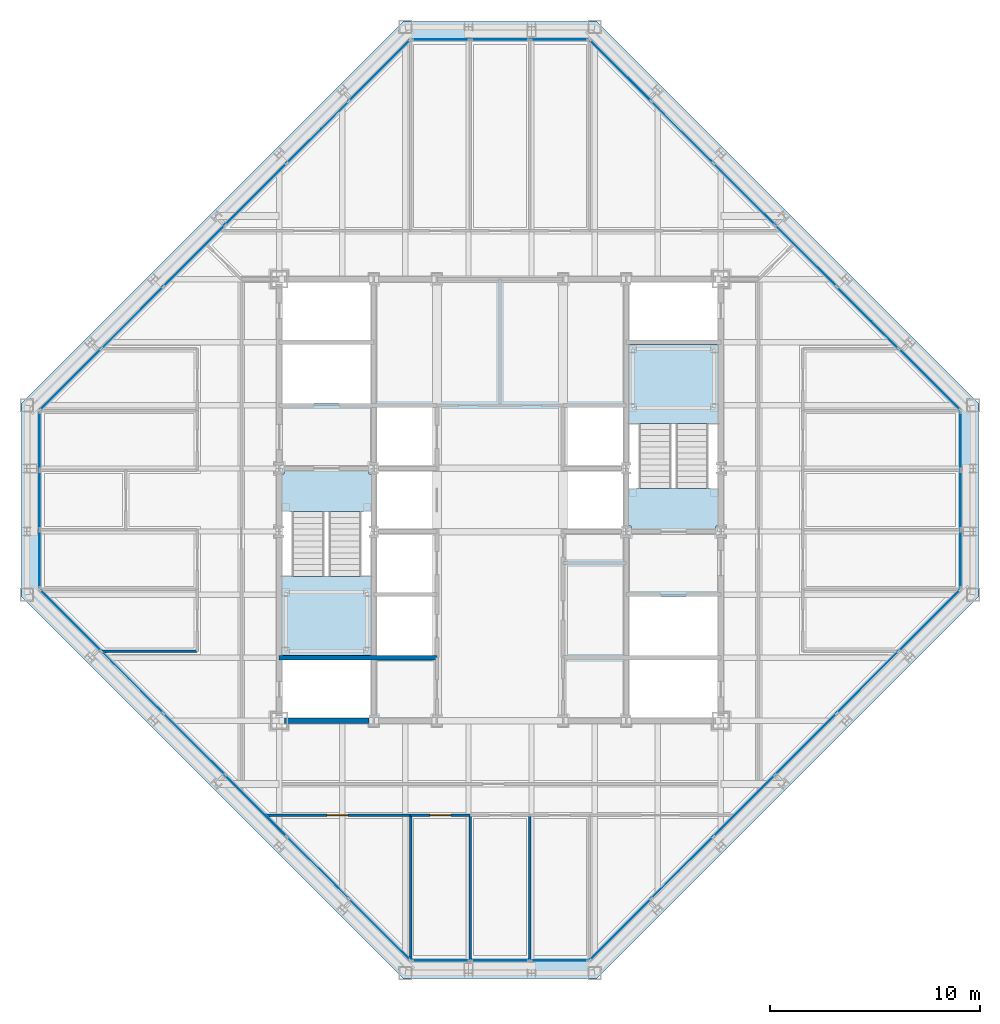
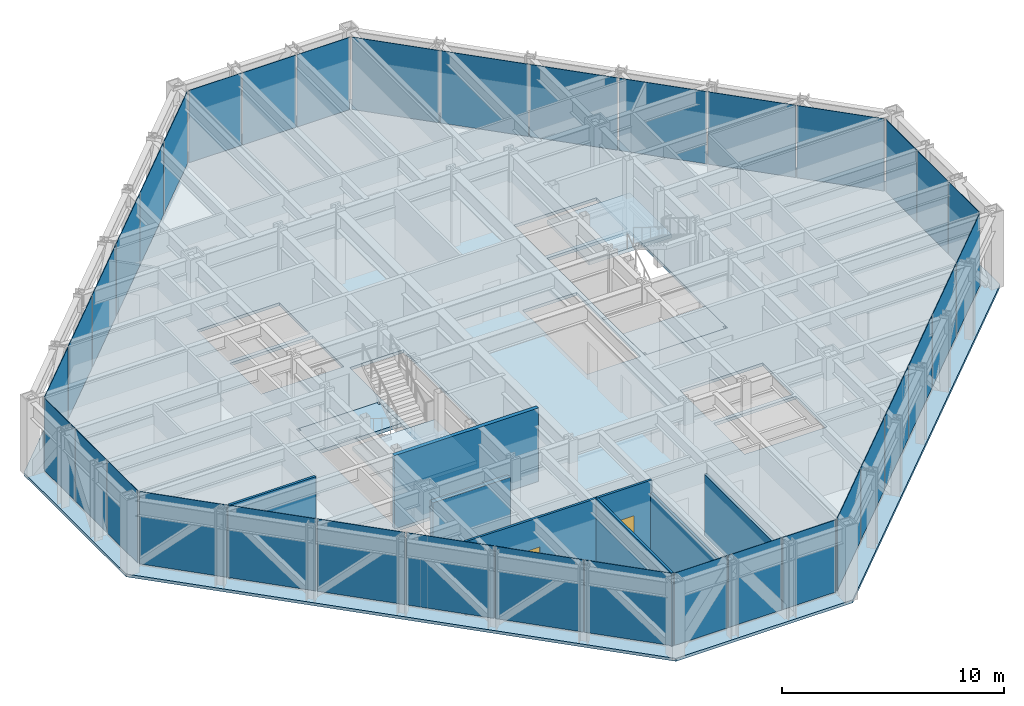
# One storey, part 9 of 15: 36 plates, 8 walls, 5 slabs, 2 doors, 2 openings, 10 elements without a shape of their own.
"""IFC4 building model written with IfcOpenShell, lengths in metres."""

from ifc_helpers import new_model, si_unit, direction, frame, frame_2d, origin, origin_2d, place, context, subcontext, project, spatial, polyline, rectangle, outline, extrude, material, layer, layer_set, type_object, element, fill, aggregate, save


model = new_model("IFC4")

# Units and contexts
model_context = context("Model", 3, precision=1e-05, world=origin(), true_north=direction((0.0, 1.0)))
body_context = subcontext(model_context, "Body", "Model", "MODEL_VIEW")
ifc_project = project(units=[si_unit("LENGTHUNIT", "METRE"), si_unit("AREAUNIT", "SQUARE_METRE"), si_unit("VOLUMEUNIT", "CUBIC_METRE"), si_unit("PLANEANGLEUNIT", "RADIAN"), si_unit("MASSUNIT", "GRAM", prefix="KILO")], contexts=[model_context])

# Site, building, storey
site_placement = place(None, origin())
site = spatial("IfcSite", under=ifc_project, at=site_placement, CompositionType="ELEMENT")
building_placement = place(site_placement, origin())
building = spatial("IfcBuilding", under=site, at=building_placement, Name="Chuquiago Exchange Tower", CompositionType="ELEMENT")
storey_placement = place(building_placement, frame((0.0, 0.0, 262.199951171875)))
storey = spatial("IfcBuildingStorey", under=building, at=storey_placement, Name="L58", CompositionType="ELEMENT", Elevation=262.199951171875)

# Curtain wall, plate
ifc_material_1 = material(Name="Aluminium curtain wall system", Category="aluminium")
ifc_layer_1 = layer(ifc_material_1, 0.22509765625)
ifc_layer_set_1 = layer_set([ifc_layer_1], Name="CW2 office curtain wall")
curtain_wall_type_1 = type_object("IfcCurtainWallType", Name="CW2 office curtain wall", PredefinedType="NOTDEFINED", material=ifc_layer_set_1)
curtain_wall_1_placement = place(storey_placement, origin())
curtain_wall_1 = element("IfcCurtainWall", 1, at=curtain_wall_1_placement, inside=storey, type_object=curtain_wall_type_1, Name="CW2 curtain wall L58", PredefinedType="NOTDEFINED")
ifc_material_2 = material(Name="Glass, insulating unit", Category="glass")
ifc_layer_2 = layer(ifc_material_2, 0.030029296875)
ifc_layer_set_2 = layer_set([ifc_layer_2], Name="CW2-P panel 30")
plate_type_1 = type_object("IfcPlateType", Name="CW2-P panel 30", PredefinedType="CURTAIN_PANEL", material=ifc_layer_set_2)
plate_1_placement = place(storey_placement, frame((25.318115234375, 0.60009765625, 0.06494140625), z_axis=(0.0, 0.0, 1.0), x_axis=(1.0, 0.0, 0.0)))
plate_1 = element("IfcPlate", 2, at=plate_1_placement, type_object=plate_type_1, Name="CW2 panel 3.1", PredefinedType="CURTAIN_PANEL", context=body_context, shape_type="SweptSolid", body=[
    extrude(rectangle(XDim=2.73681640625, YDim=0.030029296875, at=origin_2d()), origin(), (0.0, 0.0, 1.0), 3.97509765625),
])

curtain_wall_2_placement = place(storey_placement, origin())
curtain_wall_2 = element("IfcCurtainWall", 3, at=curtain_wall_2_placement, inside=storey, type_object=curtain_wall_type_1, Name="CW2 curtain wall L58", PredefinedType="NOTDEFINED")
plate_2_placement = place(storey_placement, frame((44.39990234375, 25.318115234375, 0.06494140625), z_axis=(0.0, 0.0, 1.0), x_axis=(0.0, 1.0, 0.0)))
plate_2 = element("IfcPlate", 4, at=plate_2_placement, type_object=plate_type_1, Name="CW2 panel 3.1", PredefinedType="CURTAIN_PANEL", context=body_context, shape_type="SweptSolid", body=[
    extrude(rectangle(XDim=2.73681640625, YDim=0.030029296875, at=origin_2d()), origin(), (0.0, 0.0, 1.0), 3.97509765625),
])

curtain_wall_3_placement = place(storey_placement, origin())
curtain_wall_3 = element("IfcCurtainWall", 5, at=curtain_wall_3_placement, inside=storey, type_object=curtain_wall_type_1, Name="CW2 curtain wall L58", PredefinedType="NOTDEFINED")
plate_3_placement = place(storey_placement, frame((19.681884765625, 44.39990234375, 0.06494140625), z_axis=(0.0, 0.0, 1.0), x_axis=(-1.0, 0.0, 0.0)))
plate_3 = element("IfcPlate", 6, at=plate_3_placement, type_object=plate_type_1, Name="CW2 panel 3.1", PredefinedType="CURTAIN_PANEL", context=body_context, shape_type="SweptSolid", body=[
    extrude(rectangle(XDim=2.73681640625, YDim=0.030029296875, at=origin_2d()), origin(), (0.0, 0.0, 1.0), 3.97509765625),
])

curtain_wall_4_placement = place(storey_placement, origin())
curtain_wall_4 = element("IfcCurtainWall", 7, at=curtain_wall_4_placement, inside=storey, type_object=curtain_wall_type_1, Name="CW2 curtain wall L58", PredefinedType="NOTDEFINED")
plate_4_placement = place(storey_placement, frame((0.60009765625, 19.681884765625, 0.06494140625), z_axis=(0.0, 0.0, 1.0), x_axis=(0.0, -1.0, 0.0)))
plate_4 = element("IfcPlate", 8, at=plate_4_placement, type_object=plate_type_1, Name="CW2 panel 3.1", PredefinedType="CURTAIN_PANEL", context=body_context, shape_type="SweptSolid", body=[
    extrude(rectangle(XDim=2.73681640625, YDim=0.030029296875, at=origin_2d()), origin(), (0.0, 0.0, 1.0), 3.97509765625),
])

# Plate
ifc_material_3 = material(Name="Insulated spandrel panel, pale anodised aluminium", Category="aluminium")
ifc_layer_3 = layer(ifc_material_3, 0.030029296875)
ifc_layer_set_3 = layer_set([ifc_layer_3], Name="CW2-P spandrel panel 30")
plate_type_2 = type_object("IfcPlateType", Name="CW2-P spandrel panel 30", PredefinedType="CURTAIN_PANEL", material=ifc_layer_set_3)
plate_5_placement = place(storey_placement, frame((19.681884765625, 0.60009765625, 0.06494140625), z_axis=(0.0, 0.0, 1.0), x_axis=(1.0, 0.0, 0.0)))
plate_5 = element("IfcPlate", 9, at=plate_5_placement, type_object=plate_type_2, Name="CW2 panel 1.1", PredefinedType="CURTAIN_PANEL", context=body_context, shape_type="SweptSolid", body=[
    extrude(rectangle(XDim=2.73681640625, YDim=0.030029296875, at=origin_2d()), origin(), (0.0, 0.0, 1.0), 3.97509765625),
])

plate_6_placement = place(storey_placement, frame((22.5, 0.60009765625, 0.06494140625), z_axis=(0.0, 0.0, 1.0), x_axis=(1.0, 0.0, 0.0)))
plate_6 = element("IfcPlate", 10, at=plate_6_placement, type_object=plate_type_2, Name="CW2 panel 2.1", PredefinedType="CURTAIN_PANEL", context=body_context, shape_type="SweptSolid", body=[
    extrude(rectangle(XDim=2.769287109375, YDim=0.030029296875, at=origin_2d()), origin(), (0.0, 0.0, 1.0), 3.97509765625),
])

aggregate(curtain_wall_1, [plate_5, plate_6, plate_1])

plate_7_placement = place(storey_placement, frame((44.39990234375, 19.681884765625, 0.06494140625), z_axis=(0.0, 0.0, 1.0), x_axis=(0.0, 1.0, 0.0)))
plate_7 = element("IfcPlate", 11, at=plate_7_placement, type_object=plate_type_2, Name="CW2 panel 1.1", PredefinedType="CURTAIN_PANEL", context=body_context, shape_type="SweptSolid", body=[
    extrude(rectangle(XDim=2.73681640625, YDim=0.030029296875, at=origin_2d()), origin(), (0.0, 0.0, 1.0), 3.97509765625),
])

plate_8_placement = place(storey_placement, frame((44.39990234375, 22.5, 0.06494140625), z_axis=(0.0, 0.0, 1.0), x_axis=(0.0, 1.0, 0.0)))
plate_8 = element("IfcPlate", 12, at=plate_8_placement, type_object=plate_type_2, Name="CW2 panel 2.1", PredefinedType="CURTAIN_PANEL", context=body_context, shape_type="SweptSolid", body=[
    extrude(rectangle(XDim=2.769287109375, YDim=0.030029296875, at=origin_2d()), origin(), (0.0, 0.0, 1.0), 3.97509765625),
])

aggregate(curtain_wall_2, [plate_7, plate_8, plate_2])

plate_9_placement = place(storey_placement, frame((25.318115234375, 44.39990234375, 0.06494140625), z_axis=(0.0, 0.0, 1.0), x_axis=(-1.0, 0.0, 0.0)))
plate_9 = element("IfcPlate", 13, at=plate_9_placement, type_object=plate_type_2, Name="CW2 panel 1.1", PredefinedType="CURTAIN_PANEL", context=body_context, shape_type="SweptSolid", body=[
    extrude(rectangle(XDim=2.73681640625, YDim=0.030029296875, at=origin_2d()), origin(), (0.0, 0.0, 1.0), 3.97509765625),
])

plate_10_placement = place(storey_placement, frame((22.5, 44.39990234375, 0.06494140625), z_axis=(0.0, 0.0, 1.0), x_axis=(-1.0, 0.0, 0.0)))
plate_10 = element("IfcPlate", 14, at=plate_10_placement, type_object=plate_type_2, Name="CW2 panel 2.1", PredefinedType="CURTAIN_PANEL", context=body_context, shape_type="SweptSolid", body=[
    extrude(rectangle(XDim=2.769287109375, YDim=0.030029296875, at=origin_2d()), origin(), (0.0, 0.0, 1.0), 3.97509765625),
])

aggregate(curtain_wall_3, [plate_9, plate_10, plate_3])

plate_11_placement = place(storey_placement, frame((0.60009765625, 25.318115234375, 0.06494140625), z_axis=(0.0, 0.0, 1.0), x_axis=(0.0, -1.0, 0.0)))
plate_11 = element("IfcPlate", 15, at=plate_11_placement, type_object=plate_type_2, Name="CW2 panel 1.1", PredefinedType="CURTAIN_PANEL", context=body_context, shape_type="SweptSolid", body=[
    extrude(rectangle(XDim=2.73681640625, YDim=0.030029296875, at=origin_2d()), origin(), (0.0, 0.0, 1.0), 3.97509765625),
])

plate_12_placement = place(storey_placement, frame((0.60009765625, 22.5, 0.06494140625), z_axis=(0.0, 0.0, 1.0), x_axis=(0.0, -1.0, 0.0)))
plate_12 = element("IfcPlate", 16, at=plate_12_placement, type_object=plate_type_2, Name="CW2 panel 2.1", PredefinedType="CURTAIN_PANEL", context=body_context, shape_type="SweptSolid", body=[
    extrude(rectangle(XDim=2.769287109375, YDim=0.030029296875, at=origin_2d()), origin(), (0.0, 0.0, 1.0), 3.97509765625),
])

aggregate(curtain_wall_4, [plate_11, plate_12, plate_4])

# Curtain wall, plates
ifc_material_4 = material(Name="Aluminium curtain wall system", Category="aluminium")
ifc_layer_4 = layer(ifc_material_4, 0.199951171875)
ifc_layer_set_4 = layer_set([ifc_layer_4], Name="CW3 facet curtain wall")
curtain_wall_type_2 = type_object("IfcCurtainWallType", Name="CW3 facet curtain wall", PredefinedType="NOTDEFINED", material=ifc_layer_set_4)
curtain_wall_5_placement = place(storey_placement, origin())
curtain_wall_5 = element("IfcCurtainWall", 17, at=curtain_wall_5_placement, inside=storey, type_object=curtain_wall_type_2, Name="CW3 curtain wall L58", PredefinedType="NOTDEFINED")
ifc_material_5 = material(Name="Insulated spandrel panel, pale anodised aluminium", Category="aluminium")
ifc_layer_5 = layer(ifc_material_5, 0.030029296875)
ifc_layer_set_5 = layer_set([ifc_layer_5], Name="CW3-P spandrel panel 30")
plate_type_3 = type_object("IfcPlateType", Name="CW3-P spandrel panel 30", PredefinedType="CURTAIN_PANEL", material=ifc_layer_set_5)
plate_13_placement = place(storey_placement, frame((28.233642578125, 2.082275390625, 0.06494140625), z_axis=(0.0, 0.0, 1.0), x_axis=(0.707106781187, 0.707106781187, 0.0)))
plate_13 = element("IfcPlate", 18, at=plate_13_placement, type_object=plate_type_3, Name="CW3 panel 1.1", PredefinedType="CURTAIN_PANEL", context=body_context, shape_type="SweptSolid", body=[
    extrude(rectangle(XDim=4.062255859375, YDim=0.030029296875, at=origin_2d()), origin(), (0.0, 0.0, 1.0), 3.97509765625),
])
plate_14_placement = place(storey_placement, frame((31.16357421875, 5.01220703125, 0.06494140625), z_axis=(0.0, 0.0, 1.0), x_axis=(0.707106781187, 0.707106781187, 0.0)))
plate_14 = element("IfcPlate", 19, at=plate_14_placement, type_object=plate_type_3, Name="CW3 panel 2.1", PredefinedType="CURTAIN_PANEL", context=body_context, shape_type="SweptSolid", body=[
    extrude(rectangle(XDim=4.0947265625, YDim=0.030029296875, at=origin_2d()), origin(), (0.0, 0.0, 1.0), 3.97509765625),
])
plate_15_placement = place(storey_placement, frame((34.10498046875, 7.95361328125, 0.06494140625), z_axis=(0.0, 0.0, 1.0), x_axis=(0.707106781187, 0.707106781187, 0.0)))
plate_15 = element("IfcPlate", 20, at=plate_15_placement, type_object=plate_type_3, Name="CW3 panel 3.1", PredefinedType="CURTAIN_PANEL", context=body_context, shape_type="SweptSolid", body=[
    extrude(rectangle(XDim=4.0947265625, YDim=0.030029296875, at=origin_2d()), origin(), (0.0, 0.0, 1.0), 3.97509765625),
])
plate_16_placement = place(storey_placement, frame((37.04638671875, 10.89501953125, 0.06494140625), z_axis=(0.0, 0.0, 1.0), x_axis=(0.707106781187, 0.707106781187, 0.0)))
plate_16 = element("IfcPlate", 21, at=plate_16_placement, type_object=plate_type_3, Name="CW3 panel 4.1", PredefinedType="CURTAIN_PANEL", context=body_context, shape_type="SweptSolid", body=[
    extrude(rectangle(XDim=4.0947265625, YDim=0.030029296875, at=origin_2d()), origin(), (0.0, 0.0, 1.0), 3.97509765625),
])
plate_17_placement = place(storey_placement, frame((39.98779296875, 13.83642578125, 0.06494140625), z_axis=(0.0, 0.0, 1.0), x_axis=(0.707106781187, 0.707106781187, 0.0)))
plate_17 = element("IfcPlate", 22, at=plate_17_placement, type_object=plate_type_3, Name="CW3 panel 5.1", PredefinedType="CURTAIN_PANEL", context=body_context, shape_type="SweptSolid", body=[
    extrude(rectangle(XDim=4.0947265625, YDim=0.030029296875, at=origin_2d()), origin(), (0.0, 0.0, 1.0), 3.97509765625),
])
plate_18_placement = place(storey_placement, frame((42.917724609375, 16.766357421875, 0.06494140625), z_axis=(0.0, 0.0, 1.0), x_axis=(0.707106781187, 0.707106781187, 0.0)))
plate_18 = element("IfcPlate", 23, at=plate_18_placement, type_object=plate_type_3, Name="CW3 panel 6.1", PredefinedType="CURTAIN_PANEL", context=body_context, shape_type="SweptSolid", body=[
    extrude(rectangle(XDim=4.062255859375, YDim=0.030029296875, at=origin_2d()), origin(), (0.0, 0.0, 1.0), 3.97509765625),
])
aggregate(curtain_wall_5, [plate_13, plate_14, plate_15, plate_16, plate_17, plate_18])

curtain_wall_6_placement = place(storey_placement, origin())
curtain_wall_6 = element("IfcCurtainWall", 24, at=curtain_wall_6_placement, inside=storey, type_object=curtain_wall_type_2, Name="CW3 curtain wall L58", PredefinedType="NOTDEFINED")
plate_19_placement = place(storey_placement, frame((42.917724609375, 28.233642578125, 0.06494140625), z_axis=(0.0, 0.0, 1.0), x_axis=(-0.707106781187, 0.707106781187, 0.0)))
plate_19 = element("IfcPlate", 25, at=plate_19_placement, type_object=plate_type_3, Name="CW3 panel 1.1", PredefinedType="CURTAIN_PANEL", context=body_context, shape_type="SweptSolid", body=[
    extrude(rectangle(XDim=4.062255859375, YDim=0.030029296875, at=origin_2d()), origin(), (0.0, 0.0, 1.0), 3.97509765625),
])
plate_20_placement = place(storey_placement, frame((39.98779296875, 31.16357421875, 0.06494140625), z_axis=(0.0, 0.0, 1.0), x_axis=(-0.707106781187, 0.707106781187, 0.0)))
plate_20 = element("IfcPlate", 26, at=plate_20_placement, type_object=plate_type_3, Name="CW3 panel 2.1", PredefinedType="CURTAIN_PANEL", context=body_context, shape_type="SweptSolid", body=[
    extrude(rectangle(XDim=4.0947265625, YDim=0.030029296875, at=origin_2d()), origin(), (0.0, 0.0, 1.0), 3.97509765625),
])
plate_21_placement = place(storey_placement, frame((37.04638671875, 34.10498046875, 0.06494140625), z_axis=(0.0, 0.0, 1.0), x_axis=(-0.707106781187, 0.707106781187, 0.0)))
plate_21 = element("IfcPlate", 27, at=plate_21_placement, type_object=plate_type_3, Name="CW3 panel 3.1", PredefinedType="CURTAIN_PANEL", context=body_context, shape_type="SweptSolid", body=[
    extrude(rectangle(XDim=4.0947265625, YDim=0.030029296875, at=origin_2d()), origin(), (0.0, 0.0, 1.0), 3.97509765625),
])
plate_22_placement = place(storey_placement, frame((34.10498046875, 37.04638671875, 0.06494140625), z_axis=(0.0, 0.0, 1.0), x_axis=(-0.707106781187, 0.707106781187, 0.0)))
plate_22 = element("IfcPlate", 28, at=plate_22_placement, type_object=plate_type_3, Name="CW3 panel 4.1", PredefinedType="CURTAIN_PANEL", context=body_context, shape_type="SweptSolid", body=[
    extrude(rectangle(XDim=4.0947265625, YDim=0.030029296875, at=origin_2d()), origin(), (0.0, 0.0, 1.0), 3.97509765625),
])
plate_23_placement = place(storey_placement, frame((31.16357421875, 39.98779296875, 0.06494140625), z_axis=(0.0, 0.0, 1.0), x_axis=(-0.707106781187, 0.707106781187, 0.0)))
plate_23 = element("IfcPlate", 29, at=plate_23_placement, type_object=plate_type_3, Name="CW3 panel 5.1", PredefinedType="CURTAIN_PANEL", context=body_context, shape_type="SweptSolid", body=[
    extrude(rectangle(XDim=4.0947265625, YDim=0.030029296875, at=origin_2d()), origin(), (0.0, 0.0, 1.0), 3.97509765625),
])
plate_24_placement = place(storey_placement, frame((28.233642578125, 42.917724609375, 0.06494140625), z_axis=(0.0, 0.0, 1.0), x_axis=(-0.707106781187, 0.707106781187, 0.0)))
plate_24 = element("IfcPlate", 30, at=plate_24_placement, type_object=plate_type_3, Name="CW3 panel 6.1", PredefinedType="CURTAIN_PANEL", context=body_context, shape_type="SweptSolid", body=[
    extrude(rectangle(XDim=4.062255859375, YDim=0.030029296875, at=origin_2d()), origin(), (0.0, 0.0, 1.0), 3.97509765625),
])
aggregate(curtain_wall_6, [plate_19, plate_20, plate_21, plate_22, plate_23, plate_24])

curtain_wall_7_placement = place(storey_placement, origin())
curtain_wall_7 = element("IfcCurtainWall", 31, at=curtain_wall_7_placement, inside=storey, type_object=curtain_wall_type_2, Name="CW3 curtain wall L58", PredefinedType="NOTDEFINED")
plate_25_placement = place(storey_placement, frame((16.766357421875, 42.917724609375, 0.06494140625), z_axis=(0.0, 0.0, 1.0), x_axis=(-0.707106781187, -0.707106781187, 0.0)))
plate_25 = element("IfcPlate", 32, at=plate_25_placement, type_object=plate_type_3, Name="CW3 panel 1.1", PredefinedType="CURTAIN_PANEL", context=body_context, shape_type="SweptSolid", body=[
    extrude(rectangle(XDim=4.062255859375, YDim=0.030029296875, at=origin_2d()), origin(), (0.0, 0.0, 1.0), 3.97509765625),
])
plate_26_placement = place(storey_placement, frame((13.83642578125, 39.98779296875, 0.06494140625), z_axis=(0.0, 0.0, 1.0), x_axis=(-0.707106781187, -0.707106781187, 0.0)))
plate_26 = element("IfcPlate", 33, at=plate_26_placement, type_object=plate_type_3, Name="CW3 panel 2.1", PredefinedType="CURTAIN_PANEL", context=body_context, shape_type="SweptSolid", body=[
    extrude(rectangle(XDim=4.0947265625, YDim=0.030029296875, at=origin_2d()), origin(), (0.0, 0.0, 1.0), 3.97509765625),
])
plate_27_placement = place(storey_placement, frame((10.89501953125, 37.04638671875, 0.06494140625), z_axis=(0.0, 0.0, 1.0), x_axis=(-0.707106781187, -0.707106781187, 0.0)))
plate_27 = element("IfcPlate", 34, at=plate_27_placement, type_object=plate_type_3, Name="CW3 panel 3.1", PredefinedType="CURTAIN_PANEL", context=body_context, shape_type="SweptSolid", body=[
    extrude(rectangle(XDim=4.0947265625, YDim=0.030029296875, at=origin_2d()), origin(), (0.0, 0.0, 1.0), 3.97509765625),
])
plate_28_placement = place(storey_placement, frame((7.95361328125, 34.10498046875, 0.06494140625), z_axis=(0.0, 0.0, 1.0), x_axis=(-0.707106781187, -0.707106781187, 0.0)))
plate_28 = element("IfcPlate", 35, at=plate_28_placement, type_object=plate_type_3, Name="CW3 panel 4.1", PredefinedType="CURTAIN_PANEL", context=body_context, shape_type="SweptSolid", body=[
    extrude(rectangle(XDim=4.0947265625, YDim=0.030029296875, at=origin_2d()), origin(), (0.0, 0.0, 1.0), 3.97509765625),
])
plate_29_placement = place(storey_placement, frame((5.01220703125, 31.16357421875, 0.06494140625), z_axis=(0.0, 0.0, 1.0), x_axis=(-0.707106781187, -0.707106781187, 0.0)))
plate_29 = element("IfcPlate", 36, at=plate_29_placement, type_object=plate_type_3, Name="CW3 panel 5.1", PredefinedType="CURTAIN_PANEL", context=body_context, shape_type="SweptSolid", body=[
    extrude(rectangle(XDim=4.0947265625, YDim=0.030029296875, at=origin_2d()), origin(), (0.0, 0.0, 1.0), 3.97509765625),
])
plate_30_placement = place(storey_placement, frame((2.082275390625, 28.233642578125, 0.06494140625), z_axis=(0.0, 0.0, 1.0), x_axis=(-0.707106781187, -0.707106781187, 0.0)))
plate_30 = element("IfcPlate", 37, at=plate_30_placement, type_object=plate_type_3, Name="CW3 panel 6.1", PredefinedType="CURTAIN_PANEL", context=body_context, shape_type="SweptSolid", body=[
    extrude(rectangle(XDim=4.062255859375, YDim=0.030029296875, at=origin_2d()), origin(), (0.0, 0.0, 1.0), 3.97509765625),
])
aggregate(curtain_wall_7, [plate_25, plate_26, plate_27, plate_28, plate_29, plate_30])

curtain_wall_8_placement = place(storey_placement, origin())
curtain_wall_8 = element("IfcCurtainWall", 38, at=curtain_wall_8_placement, inside=storey, type_object=curtain_wall_type_2, Name="CW3 curtain wall L58", PredefinedType="NOTDEFINED")
plate_31_placement = place(storey_placement, frame((2.082275390625, 16.766357421875, 0.06494140625), z_axis=(0.0, 0.0, 1.0), x_axis=(0.707106781187, -0.707106781187, 0.0)))
plate_31 = element("IfcPlate", 39, at=plate_31_placement, type_object=plate_type_3, Name="CW3 panel 1.1", PredefinedType="CURTAIN_PANEL", context=body_context, shape_type="SweptSolid", body=[
    extrude(rectangle(XDim=4.062255859375, YDim=0.030029296875, at=origin_2d()), origin(), (0.0, 0.0, 1.0), 3.97509765625),
])
plate_32_placement = place(storey_placement, frame((5.01220703125, 13.83642578125, 0.06494140625), z_axis=(0.0, 0.0, 1.0), x_axis=(0.707106781187, -0.707106781187, 0.0)))
plate_32 = element("IfcPlate", 40, at=plate_32_placement, type_object=plate_type_3, Name="CW3 panel 2.1", PredefinedType="CURTAIN_PANEL", context=body_context, shape_type="SweptSolid", body=[
    extrude(rectangle(XDim=4.0947265625, YDim=0.030029296875, at=origin_2d()), origin(), (0.0, 0.0, 1.0), 3.97509765625),
])
plate_33_placement = place(storey_placement, frame((7.95361328125, 10.89501953125, 0.06494140625), z_axis=(0.0, 0.0, 1.0), x_axis=(0.707106781187, -0.707106781187, 0.0)))
plate_33 = element("IfcPlate", 41, at=plate_33_placement, type_object=plate_type_3, Name="CW3 panel 3.1", PredefinedType="CURTAIN_PANEL", context=body_context, shape_type="SweptSolid", body=[
    extrude(rectangle(XDim=4.0947265625, YDim=0.030029296875, at=origin_2d()), origin(), (0.0, 0.0, 1.0), 3.97509765625),
])
plate_34_placement = place(storey_placement, frame((10.89501953125, 7.95361328125, 0.06494140625), z_axis=(0.0, 0.0, 1.0), x_axis=(0.707106781187, -0.707106781187, 0.0)))
plate_34 = element("IfcPlate", 42, at=plate_34_placement, type_object=plate_type_3, Name="CW3 panel 4.1", PredefinedType="CURTAIN_PANEL", context=body_context, shape_type="SweptSolid", body=[
    extrude(rectangle(XDim=4.0947265625, YDim=0.030029296875, at=origin_2d()), origin(), (0.0, 0.0, 1.0), 3.97509765625),
])
plate_35_placement = place(storey_placement, frame((13.83642578125, 5.01220703125, 0.06494140625), z_axis=(0.0, 0.0, 1.0), x_axis=(0.707106781187, -0.707106781187, 0.0)))
plate_35 = element("IfcPlate", 43, at=plate_35_placement, type_object=plate_type_3, Name="CW3 panel 5.1", PredefinedType="CURTAIN_PANEL", context=body_context, shape_type="SweptSolid", body=[
    extrude(rectangle(XDim=4.0947265625, YDim=0.030029296875, at=origin_2d()), origin(), (0.0, 0.0, 1.0), 3.97509765625),
])
plate_36_placement = place(storey_placement, frame((16.766357421875, 2.082275390625, 0.06494140625), z_axis=(0.0, 0.0, 1.0), x_axis=(0.707106781187, -0.707106781187, 0.0)))
plate_36 = element("IfcPlate", 44, at=plate_36_placement, type_object=plate_type_3, Name="CW3 panel 6.1", PredefinedType="CURTAIN_PANEL", context=body_context, shape_type="SweptSolid", body=[
    extrude(rectangle(XDim=4.062255859375, YDim=0.030029296875, at=origin_2d()), origin(), (0.0, 0.0, 1.0), 3.97509765625),
])
aggregate(curtain_wall_8, [plate_31, plate_32, plate_33, plate_34, plate_35, plate_36])

# Slab
ifc_material_6 = material(Name="Concrete C30/37", Category="concrete")
ifc_layer_6 = layer(ifc_material_6, 0.159912109375)
ifc_layer_set_6 = layer_set([ifc_layer_6], Name="FS1 composite floor 160")
slab_type_1 = type_object("IfcSlabType", Name="FS1 composite floor 160", PredefinedType="FLOOR", material=ifc_layer_set_6)
slab_1_placement = place(storey_placement, frame((0.0, 0.0, -0.159912109375)))
element("IfcSlab", 45, at=slab_1_placement, inside=storey, type_object=slab_type_1, Name="L58 floor slab", PredefinedType="FLOOR", context=body_context, shape_type="SweptSolid", body=[
    extrude(outline(polyline([(17.896484375, -0.25), (-0.25, 17.896484375), (-0.25, 27.103515625), (17.896484375, 45.25), (27.103515625, 45.25), (45.25, 27.103515625), (45.25, 17.896484375), (27.103515625, -0.25), (17.896484375, -0.25)]), holes=[polyline([(16.39990234375, 15.10009765625), (12.10009765625, 15.10009765625), (12.10009765625, 23.89990234375), (16.39990234375, 23.89990234375), (16.39990234375, 15.10009765625)]), polyline([(32.89990234375, 21.10009765625), (28.60009765625, 21.10009765625), (28.60009765625, 29.89990234375), (32.89990234375, 29.89990234375), (32.89990234375, 21.10009765625)]), polyline([(16.39990234375, 12.10009765625), (12.10009765625, 12.10009765625), (12.10009765625, 14.89990234375), (16.39990234375, 14.89990234375), (16.39990234375, 12.10009765625)]), polyline([(16.39990234375, 30.10009765625), (12.10009765625, 30.10009765625), (12.10009765625, 32.89990234375), (16.39990234375, 32.89990234375), (16.39990234375, 30.10009765625)]), polyline([(32.89990234375, 12.10009765625), (28.60009765625, 12.10009765625), (28.60009765625, 14.89990234375), (32.89990234375, 14.89990234375), (32.89990234375, 12.10009765625)]), polyline([(32.89990234375, 30.10009765625), (28.60009765625, 30.10009765625), (28.60009765625, 32.89990234375), (32.89990234375, 32.89990234375), (32.89990234375, 30.10009765625)]), polyline([(16.39990234375, 27.10009765625), (12.10009765625, 27.10009765625), (12.10009765625, 29.89990234375), (16.39990234375, 29.89990234375), (16.39990234375, 27.10009765625)]), polyline([(32.89990234375, 15.10009765625), (28.60009765625, 15.10009765625), (28.60009765625, 17.89990234375), (32.89990234375, 17.89990234375), (32.89990234375, 15.10009765625)]), polyline([(19.39990234375, 15.10009765625), (16.60009765625, 15.10009765625), (16.60009765625, 26.89990234375), (19.39990234375, 26.89990234375), (19.39990234375, 15.10009765625)]), polyline([(28.39990234375, 21.10009765625), (25.60009765625, 21.10009765625), (25.60009765625, 26.89990234375), (28.39990234375, 26.89990234375), (28.39990234375, 21.10009765625)])]), origin(), (0.0, 0.0, 1.0), 0.159912109375),
])

# Stair, slabs
ifc_material_7 = material(Name="Concrete C30/37, precast", Category="concrete")
stair_type_1 = type_object("IfcStairType", Name="ST1 half-turn stair 4200", PredefinedType="HALF_TURN_STAIR", material=ifc_material_7)
stair_1_placement = place(storey_placement, origin())
stair_1 = element("IfcStair", 46, at=stair_1_placement, inside=storey, type_object=stair_type_1, Name="Stair ST1 L58", PredefinedType="HALF_TURN_STAIR")
ifc_material_8 = material(Name="Concrete C30/37, precast", Category="concrete")
ifc_layer_7 = layer(ifc_material_8, 0.199951171875)
ifc_layer_set_7 = layer_set([ifc_layer_7], Name="ST-L landing 200")
slab_type_2 = type_object("IfcSlabType", Name="ST-L landing 200", PredefinedType="LANDING", material=ifc_layer_set_7)
slab_2_placement = place(storey_placement, frame((0.0, 0.0, -0.199951171875)))
slab_2 = element("IfcSlab", 47, at=slab_2_placement, type_object=slab_type_2, Name="ST1 landing 1", PredefinedType="LANDING", context=body_context, shape_type="SweptSolid", body=[
    extrude(outline(polyline([(12.224853515625, 23.89990234375), (16.275146484375, 23.89990234375), (16.275146484375, 23.7255859375), (16.39990234375, 23.7255859375), (16.39990234375, 21.949951171875), (12.10009765625, 21.949951171875), (12.10009765625, 23.7255859375), (12.224853515625, 23.7255859375), (12.224853515625, 23.89990234375)])), origin(), (0.0, 0.0, 1.0), 0.199951171875),
])
slab_3_placement = place(storey_placement, frame((0.0, 0.0, 1.900146484375)))
slab_3 = element("IfcSlab", 48, at=slab_3_placement, type_object=slab_type_2, Name="ST1 landing 2", PredefinedType="LANDING", context=body_context, shape_type="SweptSolid", body=[
    extrude(outline(polyline([(12.10009765625, 18.8701171875), (16.39990234375, 18.8701171875), (16.39990234375, 15.10009765625), (12.10009765625, 15.10009765625), (12.10009765625, 18.8701171875)])), origin(), (0.0, 0.0, 1.0), 0.199951171875),
])
aggregate(stair_1, [slab_2, slab_3])

ifc_material_9 = material(Name="Concrete C30/37, precast", Category="concrete")
stair_type_2 = type_object("IfcStairType", Name="ST2 half-turn stair 4200", PredefinedType="HALF_TURN_STAIR", material=ifc_material_9)
stair_2_placement = place(storey_placement, origin())
stair_2 = element("IfcStair", 49, at=stair_2_placement, inside=storey, type_object=stair_type_2, Name="Stair ST2 L58", PredefinedType="HALF_TURN_STAIR")
slab_4_placement = place(storey_placement, frame((0.0, 0.0, -0.199951171875)))
slab_4 = element("IfcSlab", 50, at=slab_4_placement, type_object=slab_type_2, Name="ST2 landing 1", PredefinedType="LANDING", context=body_context, shape_type="SweptSolid", body=[
    extrude(outline(polyline([(32.775146484375, 21.2744140625), (32.775146484375, 21.10009765625), (28.724853515625, 21.10009765625), (28.724853515625, 21.2744140625), (28.60009765625, 21.2744140625), (28.60009765625, 23.050048828125), (32.89990234375, 23.050048828125), (32.89990234375, 21.2744140625), (32.775146484375, 21.2744140625)])), origin(), (0.0, 0.0, 1.0), 0.199951171875),
])
slab_5_placement = place(storey_placement, frame((0.0, 0.0, 1.900146484375)))
slab_5 = element("IfcSlab", 51, at=slab_5_placement, type_object=slab_type_2, Name="ST2 landing 2", PredefinedType="LANDING", context=body_context, shape_type="SweptSolid", body=[
    extrude(outline(polyline([(28.60009765625, 29.89990234375), (32.89990234375, 29.89990234375), (32.89990234375, 26.1298828125), (28.60009765625, 26.1298828125), (28.60009765625, 29.89990234375)])), origin(), (0.0, 0.0, 1.0), 0.199951171875),
])
aggregate(stair_2, [slab_4, slab_5])

# Walls
ifc_material_10 = material(Name="Concrete masonry, fully grouted", Category="masonry")
ifc_layer_8 = layer(ifc_material_10, 0.25)
ifc_layer_set_8 = layer_set([ifc_layer_8], Name="W1 core wall 250")
wall_type_1 = type_object("IfcWallType", Name="W1 core wall 250", PredefinedType="SOLIDWALL", material=ifc_layer_set_8)
wall_1_placement = place(storey_placement, frame((12.25, 12.0, 0.0), z_axis=(0.0, 0.0, 1.0), x_axis=(1.0, 0.0, 0.0)))
element("IfcWall", 52, at=wall_1_placement, inside=storey, type_object=wall_type_1, Name="CW-L58-01-0", PredefinedType="SOLIDWALL", context=body_context, shape_type="SweptSolid", body=[
    extrude(rectangle(XDim=4.025146484375, YDim=0.25, at=frame_2d((2.0126953125, 0.0))), origin(), (0.0, 0.0, 1.0), 3.181640625),
])
ifc_material_11 = material(Name="Concrete masonry, fully grouted", Category="masonry")
ifc_layer_9 = layer(ifc_material_11, 0.199951171875)
ifc_layer_set_9 = layer_set([ifc_layer_9], Name="W2 shaft wall 200")
wall_type_2 = type_object("IfcWallType", Name="W2 shaft wall 200", PredefinedType="SOLIDWALL", material=ifc_layer_set_9)
wall_2_placement = place(storey_placement, frame((12.0, 15.0, 0.0), z_axis=(0.0, 0.0, 1.0), x_axis=(1.0, 0.0, 0.0)))
element("IfcWall", 53, at=wall_2_placement, inside=storey, type_object=wall_type_2, Name="CW-L58-03-0", PredefinedType="SOLIDWALL", context=body_context, shape_type="SweptSolid", body=[
    extrude(rectangle(XDim=7.5, YDim=0.199951171875, at=frame_2d((3.75, 0.0))), origin(), (0.0, 0.0, 1.0), 4.0400390625),
])
ifc_material_12 = material(Name="Gypsum board on steel studs", Category="steel")
ifc_layer_10 = layer(ifc_material_12, 0.1201171875)
ifc_layer_set_10 = layer_set([ifc_layer_10], Name="W4 partition 120")
wall_type_3 = type_object("IfcWallType", Name="W4 partition 120", PredefinedType="PARTITIONING", material=ifc_layer_set_10)
wall_3_placement = place(storey_placement, frame((18.24853515625, 0.666015625, 0.0), z_axis=(0.0, 0.0, 1.0), x_axis=(0.0, 1.0, 0.0)))
element("IfcWall", 54, at=wall_3_placement, inside=storey, type_object=wall_type_3, Name="PW-L58-S01825", PredefinedType="PARTITIONING", context=body_context, shape_type="SweptSolid", body=[
    extrude(rectangle(XDim=6.833984375, YDim=0.1201171875, at=frame_2d((3.4169921875, 0.0))), origin(), (0.0, 0.0, 1.0), 4.0400390625),
])
for number, where, z_axis, x_axis, name in (
    (55, (21.082763671875, 0.652587890625, 0.0), (0.0, 0.0, 1.0), (0.0, 1.0, 0.0), "PW-L58-S02108"),
    (56, (23.917236328125, 0.652587890625, 0.0), (0.0, 0.0, 1.0), (0.0, 1.0, 0.0), "PW-L58-S02392"),
):
    element("IfcWall", number, at=place(storey_placement, frame(where, z_axis=z_axis, x_axis=x_axis)), inside=storey, type_object=wall_type_3, Name=name, PredefinedType="PARTITIONING", context=body_context, shape_type="SweptSolid", body=[
        extrude(rectangle(XDim=6.847412109375, YDim=0.1201171875, at=frame_2d((3.423828125, 0.0))), origin(), (0.0, 0.0, 1.0), 3.35693359375),
    ])

# Wall, opening, door
wall_4_placement = place(storey_placement, frame((11.385498046875, 7.5, 0.0), z_axis=(0.0, 0.0, 1.0), x_axis=(1.0, 0.0, 0.0)))
wall_4 = element("IfcWall", 57, at=wall_4_placement, inside=storey, type_object=wall_type_3, Name="PW-L58-SF00942", PredefinedType="PARTITIONING", context=body_context, shape_type="SweptSolid", body=[
    extrude(rectangle(XDim=6.863037109375, YDim=0.1201171875, at=frame_2d((3.431640625, 0.0))), origin(), (0.0, 0.0, 1.0), 4.0400390625),
])
opening_1_placement = place(wall_4_placement, frame((2.87939453125, 0.0, 0.0)))
opening_1 = element("IfcOpeningElement", 58, at=opening_1_placement, cuts=wall_4, Name="Opening L58-021", PredefinedType="OPENING", context=body_context, shape_type="SweptSolid", body=[
    extrude(rectangle(XDim=1.0, YDim=2.39990234375, at=frame_2d((0.5, 1.199951171875))), frame((0.0, 0.070068359375, 0.0), z_axis=(0.0, -1.0, 0.0), x_axis=(1.0, 0.0, 0.0)), (0.0, 0.0, 1.0), 0.14013671875),
])
ifc_material_13 = material(Name="Timber frame door, full height glazed panel", Category="wood")
door_type_1 = type_object("IfcDoorType", Name="D14 glazed meeting room door 1000x2400", OperationType="SINGLE_SWING_LEFT", PredefinedType="DOOR", material=ifc_material_13)
door_1_placement = place(opening_1_placement, frame((1.0, 0.0, 0.0), z_axis=(0.0, 0.0, 1.0), x_axis=(-1.0, 0.0, 0.0)))
door_1 = element("IfcDoor", 59, at=door_1_placement, inside=storey, type_object=door_type_1, Name="Conference room door", OperationType="SINGLE_SWING_RIGHT", OverallHeight=2.39990234375, OverallWidth=1.0, PredefinedType="DOOR", context=body_context, shape_type="SweptSolid", body=[
    extrude(rectangle(XDim=1.0, YDim=2.39990234375, at=frame_2d((0.5, 1.199951171875))), frame((0.0, 0.02490234375, 0.0), z_axis=(0.0, -1.0, 0.0), x_axis=(1.0, 0.0, 0.0)), (0.0, 0.0, 1.0), 0.050048828125),
])
fill(opening_1, door_1)

wall_5_placement = place(storey_placement, frame((18.24853515625, 7.5, 0.0), z_axis=(0.0, 0.0, 1.0), x_axis=(1.0, 0.0, 0.0)))
wall_5 = element("IfcWall", 60, at=wall_5_placement, inside=storey, type_object=wall_type_3, Name="PW-L58-SF01825", PredefinedType="PARTITIONING", context=body_context, shape_type="SweptSolid", body=[
    extrude(rectangle(XDim=2.834228515625, YDim=0.1201171875, at=frame_2d((1.4169921875, 0.0))), origin(), (0.0, 0.0, 1.0), 4.0400390625),
])
opening_2_placement = place(wall_5_placement, frame((0.9169921875, 0.0, 0.0)))
opening_2 = element("IfcOpeningElement", 61, at=opening_2_placement, cuts=wall_5, Name="Opening L58-022", PredefinedType="OPENING", context=body_context, shape_type="SweptSolid", body=[
    extrude(rectangle(XDim=1.0, YDim=2.39990234375, at=frame_2d((0.5, 1.199951171875))), frame((0.0, 0.070068359375, 0.0), z_axis=(0.0, -1.0, 0.0), x_axis=(1.0, 0.0, 0.0)), (0.0, 0.0, 1.0), 0.14013671875),
])
ifc_material_14 = material(Name="Timber door, laminate faced", Category="wood")
door_type_2 = type_object("IfcDoorType", Name="D9 room door 1000x2400", OperationType="SINGLE_SWING_LEFT", PredefinedType="DOOR", material=ifc_material_14)
door_2_placement = place(opening_2_placement, frame((1.0, 0.0, 0.0), z_axis=(0.0, 0.0, 1.0), x_axis=(-1.0, 0.0, 0.0)))
door_2 = element("IfcDoor", 62, at=door_2_placement, inside=storey, type_object=door_type_2, Name="Executive office door", OperationType="SINGLE_SWING_RIGHT", OverallHeight=2.39990234375, OverallWidth=1.0, PredefinedType="DOOR", context=body_context, shape_type="SweptSolid", body=[
    extrude(rectangle(XDim=1.0, YDim=2.39990234375, at=frame_2d((0.5, 1.199951171875))), frame((0.0, 0.02490234375, 0.0), z_axis=(0.0, -1.0, 0.0), x_axis=(1.0, 0.0, 0.0)), (0.0, 0.0, 1.0), 0.050048828125),
])
fill(opening_2, door_2)

# Wall
wall_6_placement = place(storey_placement, frame((3.607421875, 15.30712890625, 0.0), z_axis=(0.0, 0.0, 1.0), x_axis=(1.0, 0.0, 0.0)))
element("IfcWall", 63, at=wall_6_placement, inside=storey, type_object=wall_type_3, Name="PW-L58-W01531", PredefinedType="PARTITIONING", context=body_context, shape_type="SweptSolid", body=[
    extrude(rectangle(XDim=4.49267578125, YDim=0.1201171875, at=frame_2d((2.246337890625, 0.0))), origin(), (0.0, 0.0, 1.0), 4.0400390625),
])

save(model, "model.ifc")
